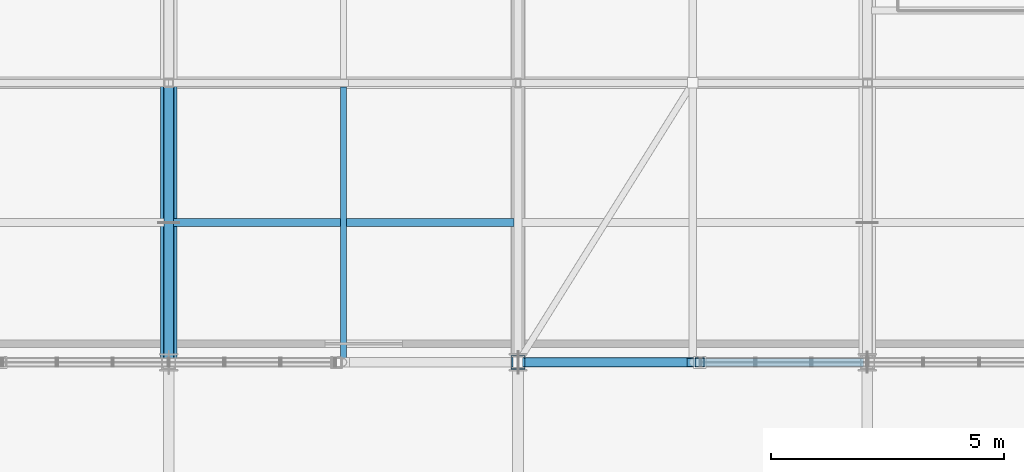
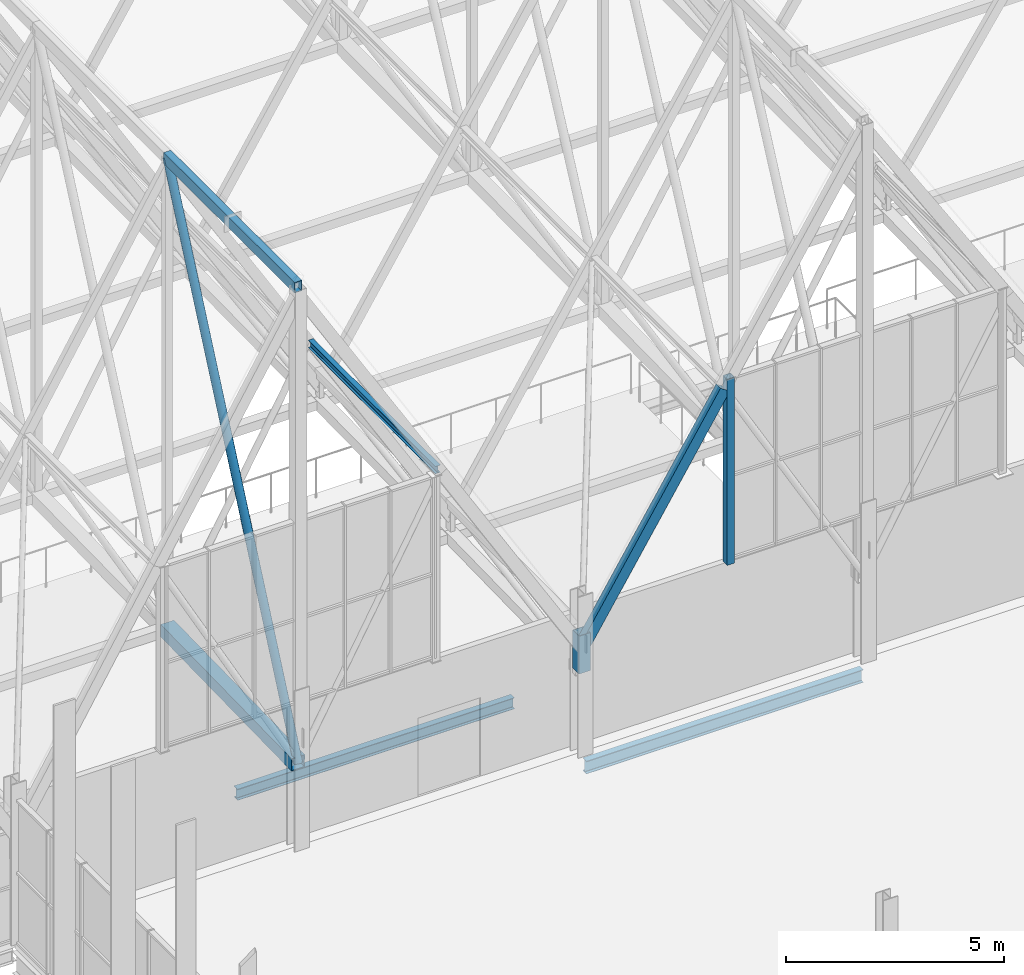
# One storey, part 143 of 324: 6 members, 3 beams.
"""IFC4 building model written with IfcOpenShell, lengths in metres."""

from ifc_helpers import new_model, si_unit, direction, frame, origin, origin_2d, place, context, subcontext, project, spatial, hollow_rectangle, hollow_circle, i_section, extrude, material, material_profile, profile_set, type_object, element, save


model = new_model("IFC4")

# Units and contexts
model_context = context("Model", 3, precision=1e-05, world=origin(), true_north=direction((0.0, 1.0)))
body_context = subcontext(model_context, "Body", "Model", "MODEL_VIEW")
ifc_project = project(units=[si_unit("LENGTHUNIT", "METRE"), si_unit("AREAUNIT", "SQUARE_METRE"), si_unit("VOLUMEUNIT", "CUBIC_METRE"), si_unit("PLANEANGLEUNIT", "RADIAN"), si_unit("MASSUNIT", "GRAM", prefix="KILO")], contexts=[model_context])

# Site, building, storey
site_placement = place(None, origin())
site = spatial("IfcSite", under=ifc_project, at=site_placement, CompositionType="ELEMENT")
building_placement = place(site_placement, origin())
building = spatial("IfcBuilding", under=site, at=building_placement, Name="Solvenia Promenade Tram Depot", CompositionType="ELEMENT")
storey_placement = place(building_placement, frame((0.0, 0.0, 4.5)))
storey = spatial("IfcBuildingStorey", under=building, at=storey_placement, Name="L01", CompositionType="ELEMENT", Elevation=4.5)

# Members
ifc_material_1 = material(Name="Structural steel ASTM A500 Gr. C", Category="steel")
ifc_material_profile_1 = material_profile(ifc_material_1, hollow_circle(Radius=0.109619140625, WallThickness=0.008056640625, at=origin_2d()), Name="CHS219.1x8", Category="steel")
ifc_profile_set_1 = profile_set([ifc_material_profile_1], Name="Structural steel ASTM A500 Gr. C")
member_type_1 = type_object("IfcMemberType", Name="Brace-CHS219x8", PredefinedType="BRACE", material=ifc_profile_set_1)
member_1_placement = place(storey_placement, frame((112.5, 66.0, 2.320068359375), z_axis=(0.0, 0.410529284431, 0.911847414113), x_axis=(-1.0, 0.0, 0.0)))
element("IfcMember", 1, at=member_1_placement, inside=storey, type_object=member_type_1, Name="Arched Truss T16 Web Diagonal S01", PredefinedType="BRACE", context=body_context, shape_type="SweptSolid", body=[
    extrude(hollow_circle(Radius=0.109619140625, WallThickness=0.008056640625, at=origin_2d()), origin(), (0.0, 0.0, 1.0), 14.615234375),
])
ifc_material_profile_2 = material_profile(ifc_material_1, hollow_rectangle(XDim=0.199951171875, YDim=0.300048828125, WallThickness=0.012451171875, at=origin_2d()), Name="HSS300x200x12.5", Category="steel")
ifc_profile_set_2 = profile_set([ifc_material_profile_2], Name="Structural steel ASTM A500 Gr. C")
member_type_2 = type_object("IfcMemberType", Name="Chord-HSS300x200x12", PredefinedType="CHORD", material=ifc_profile_set_2)
member_2_placement = place(storey_placement, frame((112.5, 66.0, 15.64697265625), z_axis=(0.0, 1.0, 0.0), x_axis=(-1.0, 0.0, 0.0)))
element("IfcMember", 2, at=member_2_placement, inside=storey, type_object=member_type_2, Name="Arched Truss T16 Upper Chord S01", PredefinedType="CHORD", context=body_context, shape_type="SweptSolid", body=[
    extrude(hollow_rectangle(XDim=0.199951171875, YDim=0.300048828125, WallThickness=0.012451171875, at=origin_2d()), origin(), (0.0, 0.0, 1.0), 6.0),
])
member_3_placement = place(storey_placement, frame((120.0, 66.0, 2.942626953125), z_axis=(0.533506771487, 0.0, 0.845795793781), x_axis=(0.0, 1.0, 0.0)))
element("IfcMember", 3, at=member_3_placement, inside=storey, type_object=member_type_2, Name="Zigzag Gable 09 West Lower Rafter", PredefinedType="CHORD", context=body_context, shape_type="SweptSolid", body=[
    extrude(hollow_rectangle(XDim=0.199951171875, YDim=0.300048828125, WallThickness=0.012451171875, at=origin_2d()), origin(), (0.0, 0.0, 1.0), 7.029052734375),
])
ifc_material_profile_3 = material_profile(ifc_material_1, hollow_rectangle(XDim=0.300048828125, YDim=0.300048828125, WallThickness=0.012451171875, at=origin_2d()), Name="HSS300x300x12.5", Category="steel")
ifc_profile_set_3 = profile_set([ifc_material_profile_3], Name="Structural steel ASTM A500 Gr. C")
member_type_3 = type_object("IfcMemberType", Name="Chord-HSS300x300x12", PredefinedType="CHORD", material=ifc_profile_set_3)
member_4_placement = place(storey_placement, frame((120.0, 66.0, 2.320068359375), z_axis=(0.0, 0.0, 1.0), x_axis=(1.0, 0.0, 0.0)))
element("IfcMember", 4, at=member_4_placement, inside=storey, type_object=member_type_3, Name="Arched Truss T17 S End Post", PredefinedType="CHORD", context=body_context, shape_type="SweptSolid", body=[
    extrude(hollow_rectangle(XDim=0.300048828125, YDim=0.300048828125, WallThickness=0.012451171875, at=origin_2d()), origin(), (0.0, 0.0, 1.0), 1.059814453125),
])
ifc_material_profile_4 = material_profile(ifc_material_1, hollow_rectangle(XDim=0.35009765625, YDim=0.35009765625, WallThickness=0.01611328125, at=origin_2d()), Name="HSS350x350x16", Category="steel")
ifc_profile_set_4 = profile_set([ifc_material_profile_4], Name="Structural steel ASTM A500 Gr. C")
member_type_4 = type_object("IfcMemberType", Name="Chord-HSS350x350x16", PredefinedType="CHORD", material=ifc_profile_set_4)
member_5_placement = place(storey_placement, frame((112.5, 66.0, 2.320068359375), z_axis=(0.0, 0.999779654873, 0.020991467363), x_axis=(-1.0, 0.0, 0.0)))
element("IfcMember", 5, at=member_5_placement, inside=storey, type_object=member_type_4, Name="Arched Truss T16 Bottom Chord S01", PredefinedType="CHORD", context=body_context, shape_type="SweptSolid", body=[
    extrude(hollow_rectangle(XDim=0.35009765625, YDim=0.35009765625, WallThickness=0.01611328125, at=origin_2d()), origin(), (0.0, 0.0, 1.0), 6.001220703125),
])

# Beam
ifc_material_2 = material(Name="Structural steel ASTM A992 Gr. 50", Category="steel")
ifc_material_profile_5 = material_profile(ifc_material_2, i_section(OverallWidth=0.166015625, OverallDepth=0.31298828125, WebThickness=0.006591796875, FlangeThickness=0.01123046875, FilletRadius=0.010009765625, at=origin_2d()), Name="W310x45", Category="steel")
ifc_profile_set_5 = profile_set([ifc_material_profile_5], Name="Structural steel ASTM A992 Gr. 50")
beam_type_1 = type_object("IfcBeamType", Name="Joist-W310x45", PredefinedType="JOIST", material=ifc_profile_set_5)
beam_1_placement = place(storey_placement, frame((112.5849609375, 69.0, -0.37646484375), z_axis=(1.0, 0.0, 0.0), x_axis=(0.0, 1.0, 0.0)))
element("IfcBeam", 6, at=beam_1_placement, inside=storey, type_object=beam_type_1, Name="Secondary Floor Joist BM-L01-0106", PredefinedType="JOIST", context=body_context, shape_type="SweptSolid", body=[
    extrude(i_section(OverallWidth=0.166015625, OverallDepth=0.31298828125, WebThickness=0.006591796875, FlangeThickness=0.01123046875, FilletRadius=0.010009765625, at=origin_2d()), origin(), (0.0, 0.0, 1.0), 7.330078125),
])

# Member
ifc_material_profile_6 = material_profile(ifc_material_1, hollow_rectangle(XDim=0.199951171875, YDim=0.199951171875, WallThickness=0.010009765625, at=origin_2d()), Name="HSS200x200x10", Category="steel")
ifc_profile_set_6 = profile_set([ifc_material_profile_6], Name="Structural steel ASTM A500 Gr. C")
member_type_5 = type_object("IfcMemberType", Name="Post-HSS200x200x10", PredefinedType="POST", material=ifc_profile_set_6)
member_6_placement = place(storey_placement, frame((123.89990234375, 66.0, 3.949951171875), z_axis=(0.0, 0.0, 1.0), x_axis=(1.0, 0.0, 0.0)))
element("IfcMember", 7, at=member_6_placement, inside=storey, type_object=member_type_5, Name="Gable Curtain-Wall Steel Jamb Post 035", PredefinedType="POST", context=body_context, shape_type="SweptSolid", body=[
    extrude(hollow_rectangle(XDim=0.199951171875, YDim=0.199951171875, WallThickness=0.010009765625, at=origin_2d()), origin(), (0.0, 0.0, 1.0), 5.199951171875),
])

# Beams
ifc_material_profile_7 = material_profile(ifc_material_2, i_section(OverallWidth=0.133056640625, OverallDepth=0.20703125, WebThickness=0.005859375, FlangeThickness=0.00830078125, FilletRadius=0.009033203125, at=origin_2d()), Name="W200x27", Category="steel")
ifc_profile_set_7 = profile_set([ifc_material_profile_7], Name="Structural steel ASTM A992 Gr. 50")
beam_type_2 = type_object("IfcBeamType", Name="Purlin-W200x27", PredefinedType="USERDEFINED", material=ifc_profile_set_7)
beam_2_placement = place(storey_placement, frame((116.25, 66.0849609375, 9.169677734375), z_axis=(0.0, 1.0, 0.0), x_axis=(-1.0, 0.0, 0.0)))
element("IfcBeam", 8, at=beam_2_placement, inside=storey, type_object=beam_type_2, Name="Gable Roof Purlin E-0142", ObjectType="PURLIN", PredefinedType="USERDEFINED", context=body_context, shape_type="SweptSolid", body=[
    extrude(i_section(OverallWidth=0.133056640625, OverallDepth=0.20703125, WebThickness=0.005859375, FlangeThickness=0.00830078125, FilletRadius=0.009033203125, at=origin_2d()), origin(), (0.0, 0.0, 1.0), 5.830078125),
])
ifc_material_profile_8 = material_profile(ifc_material_2, i_section(OverallWidth=0.172119140625, OverallDepth=0.35791015625, WebThickness=0.0078125, FlangeThickness=0.01318359375, FilletRadius=0.010986328125, at=origin_2d()), Name="W360x57", Category="steel")
ifc_profile_set_8 = profile_set([ifc_material_profile_8], Name="Structural steel ASTM A992 Gr. 50")
beam_type_3 = type_object("IfcBeamType", Name="Spandrel-W360x57", PredefinedType="SPANDREL", material=ifc_profile_set_8)
beam_3_placement = place(storey_placement, frame((120.0849609375, 66.0, -0.4189453125), z_axis=(1.0, 0.0, 0.0), x_axis=(0.0, 1.0, 0.0)))
element("IfcBeam", 9, at=beam_3_placement, inside=storey, type_object=beam_type_3, Name="Perimeter Spandrel BM-L01-0017", PredefinedType="SPANDREL", context=body_context, shape_type="SweptSolid", body=[
    extrude(i_section(OverallWidth=0.172119140625, OverallDepth=0.35791015625, WebThickness=0.0078125, FlangeThickness=0.01318359375, FilletRadius=0.010986328125, at=origin_2d()), origin(), (0.0, 0.0, 1.0), 7.330078125),
])

save(model, "model.ifc")
